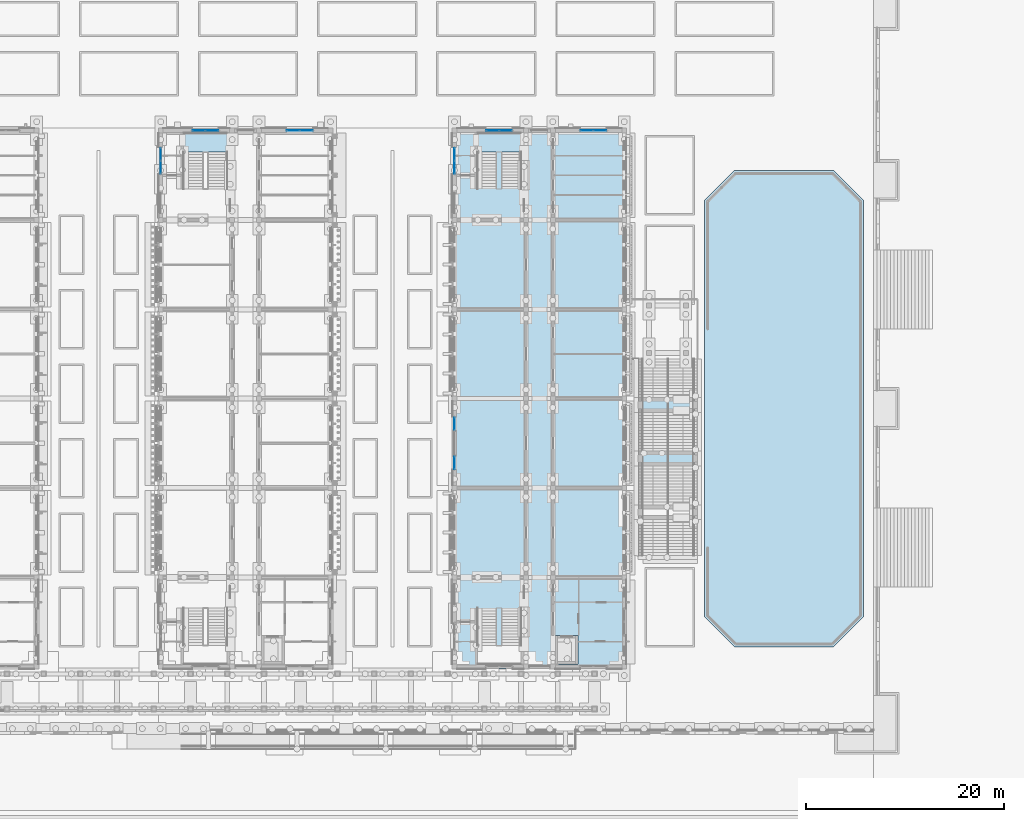
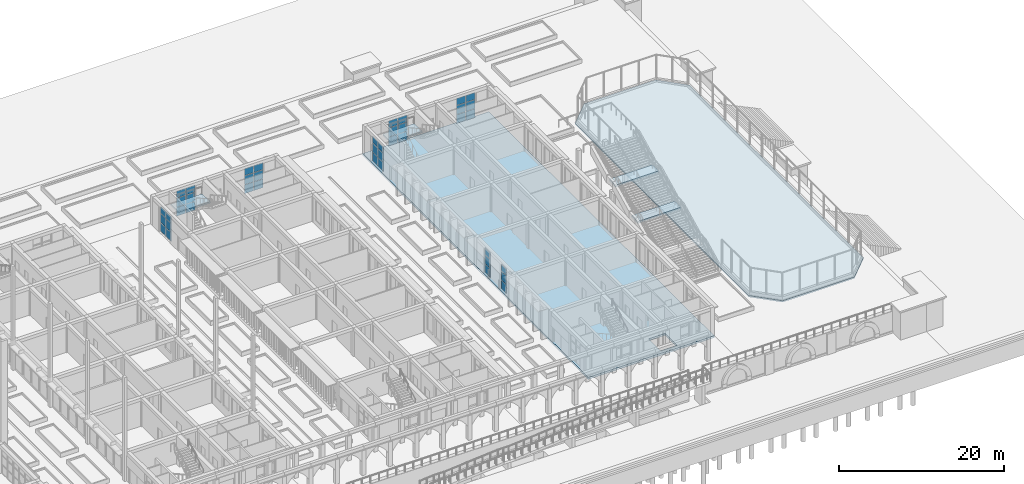
# One storey, part 52 of 161: 42 plates, 6 slabs, 11 elements without a shape of their own.
"""IFC4 building model written with IfcOpenShell, lengths in metres."""

from ifc_helpers import new_model, si_unit, direction, frame, origin, origin_2d, place, context, subcontext, project, spatial, polyline, rectangle, outline, extrude, material, layer, layer_set, type_object, element, aggregate, save


model = new_model("IFC4")

# Units and contexts
model_context = context("Model", 3, precision=1e-05, world=origin(), true_north=direction((0.0, 1.0)))
body_context = subcontext(model_context, "Body", "Model", "MODEL_VIEW")
ifc_project = project(units=[si_unit("LENGTHUNIT", "METRE"), si_unit("AREAUNIT", "SQUARE_METRE"), si_unit("VOLUMEUNIT", "CUBIC_METRE"), si_unit("PLANEANGLEUNIT", "RADIAN"), si_unit("MASSUNIT", "GRAM", prefix="KILO")], contexts=[model_context])

# Site, building, storey
site_placement = place(None, origin())
site = spatial("IfcSite", under=ifc_project, at=site_placement, CompositionType="ELEMENT")
building_placement = place(site_placement, origin())
building = spatial("IfcBuilding", under=site, at=building_placement, Name="Elbe Cascade School", CompositionType="ELEMENT")
storey_placement = place(building_placement, origin())
storey = spatial("IfcBuildingStorey", under=building, at=storey_placement, Name="L00", CompositionType="ELEMENT", Elevation=0.0)

# Stair, slab
ifc_material_1 = material(Name="Concrete C30/37", Category="concrete")
stair_type_1 = type_object("IfcStairType", Name="Bar stair RC 150", PredefinedType="HALF_TURN_STAIR", material=ifc_material_1)
stair_1_placement = place(storey_placement, origin())
stair_1 = element("IfcStair", 1, at=stair_1_placement, inside=storey, type_object=stair_type_1, Name="Stair C0.N", PredefinedType="HALF_TURN_STAIR")
ifc_material_2 = material(Name="Concrete C30/37", Category="concrete")
ifc_layer_1 = layer(ifc_material_2, 0.199951171875)
ifc_layer_set_1 = layer_set([ifc_layer_1], Name="Concrete C30/37")
slab_type_1 = type_object("IfcSlabType", Name="Bar stair landing RC 200", PredefinedType="LANDING", material=ifc_layer_set_1)
slab_1_placement = place(storey_placement, frame((0.0, 0.0, 2.050048828125)))
slab_1 = element("IfcSlab", 2, at=slab_1_placement, type_object=slab_type_1, Name="ST3 landing 1", PredefinedType="LANDING", context=body_context, shape_type="SweptSolid", body=[
    extrude(outline(polyline([(130.5, 57.8701171875), (134.89990234375, 57.8701171875), (134.89990234375, 59.820068359375), (130.5, 59.820068359375), (130.5, 57.8701171875)])), origin(), (0.0, 0.0, 1.0), 0.199951171875),
])
aggregate(stair_1, [slab_1])

stair_2_placement = place(storey_placement, origin())
stair_2 = element("IfcStair", 3, at=stair_2_placement, inside=storey, type_object=stair_type_1, Name="Stair D0.N", PredefinedType="HALF_TURN_STAIR")
slab_2_placement = place(storey_placement, frame((0.0, 0.0, 2.050048828125)))
slab_2 = element("IfcSlab", 4, at=slab_2_placement, type_object=slab_type_1, Name="ST3 landing 1", PredefinedType="LANDING", context=body_context, shape_type="SweptSolid", body=[
    extrude(outline(polyline([(160.10009765625, 57.8701171875), (164.5, 57.8701171875), (164.5, 59.820068359375), (160.10009765625, 59.820068359375), (160.10009765625, 57.8701171875)])), origin(), (0.0, 0.0, 1.0), 0.199951171875),
])
aggregate(stair_2, [slab_2])

# Curtain wall, plates
ifc_material_3 = material(Name="Aluminium frame with double glazing, bronze anodised", Category="aluminium")
ifc_layer_2 = layer(ifc_material_3, 0.199951171875)
ifc_layer_set_2 = layer_set([ifc_layer_2], Name="Aluminium frame with double glazing, bronze anodised")
curtain_wall_type = type_object("IfcCurtainWallType", Name="Bars envelope Curtain wall, aluminium, bronze anodised, ground floor tall run", PredefinedType="NOTDEFINED", material=ifc_layer_set_2)
curtain_wall_1_placement = place(storey_placement, origin())
curtain_wall_1 = element("IfcCurtainWall", 5, at=curtain_wall_1_placement, inside=storey, type_object=curtain_wall_type, Name="Curtain wall CW3 C.L00.w6", PredefinedType="NOTDEFINED")
ifc_material_4 = material(Name="Glass - double glazed low-E", Category="glass")
ifc_layer_3 = layer(ifc_material_4, 0.035888671875)
ifc_layer_set_3 = layer_set([ifc_layer_3], Name="Glass - double glazed low-E")
plate_type = type_object("IfcPlateType", Name="Bars envelope Curtain wall glazing panel 36 mm, double glazed, ground floor tall run", PredefinedType="CURTAIN_PANEL", material=ifc_layer_set_3)
plate_1_placement = place(storey_placement, frame((128.199951171875, 56.300048828125, 0.06005859375), z_axis=(0.0, 0.0, 1.0), x_axis=(0.0, 1.0, 0.0)))
plate_1 = element("IfcPlate", 6, at=plate_1_placement, type_object=plate_type, Name="CW3 panel 1.1", PredefinedType="CURTAIN_PANEL", context=body_context, shape_type="SweptSolid", body=[
    extrude(rectangle(XDim=1.260009765625, YDim=0.035888671875, at=origin_2d()), origin(), (0.0, 0.0, 1.0), 1.260009765625),
])
plate_2_placement = place(storey_placement, frame((128.199951171875, 56.300048828125, 1.3798828125), z_axis=(0.0, 0.0, 1.0), x_axis=(0.0, 1.0, 0.0)))
plate_2 = element("IfcPlate", 7, at=plate_2_placement, type_object=plate_type, Name="CW3 panel 1.2", PredefinedType="CURTAIN_PANEL", context=body_context, shape_type="SweptSolid", body=[
    extrude(rectangle(XDim=1.260009765625, YDim=0.035888671875, at=origin_2d()), origin(), (0.0, 0.0, 1.0), 1.2900390625),
])
plate_3_placement = place(storey_placement, frame((128.199951171875, 56.300048828125, 2.72998046875), z_axis=(0.0, 0.0, 1.0), x_axis=(0.0, 1.0, 0.0)))
plate_3 = element("IfcPlate", 8, at=plate_3_placement, type_object=plate_type, Name="CW3 panel 1.3", PredefinedType="CURTAIN_PANEL", context=body_context, shape_type="SweptSolid", body=[
    extrude(rectangle(XDim=1.260009765625, YDim=0.035888671875, at=origin_2d()), origin(), (0.0, 0.0, 1.0), 0.9599609375),
])
plate_4_placement = place(storey_placement, frame((128.199951171875, 57.6201171875, 0.06005859375), z_axis=(0.0, 0.0, 1.0), x_axis=(0.0, 1.0, 0.0)))
plate_4 = element("IfcPlate", 9, at=plate_4_placement, type_object=plate_type, Name="CW3 panel 2.1", PredefinedType="CURTAIN_PANEL", context=body_context, shape_type="SweptSolid", body=[
    extrude(rectangle(XDim=1.260009765625, YDim=0.035888671875, at=origin_2d()), origin(), (0.0, 0.0, 1.0), 1.260009765625),
])
plate_5_placement = place(storey_placement, frame((128.199951171875, 57.6201171875, 1.3798828125), z_axis=(0.0, 0.0, 1.0), x_axis=(0.0, 1.0, 0.0)))
plate_5 = element("IfcPlate", 10, at=plate_5_placement, type_object=plate_type, Name="CW3 panel 2.2", PredefinedType="CURTAIN_PANEL", context=body_context, shape_type="SweptSolid", body=[
    extrude(rectangle(XDim=1.260009765625, YDim=0.035888671875, at=origin_2d()), origin(), (0.0, 0.0, 1.0), 1.2900390625),
])
plate_6_placement = place(storey_placement, frame((128.199951171875, 57.6201171875, 2.72998046875), z_axis=(0.0, 0.0, 1.0), x_axis=(0.0, 1.0, 0.0)))
plate_6 = element("IfcPlate", 11, at=plate_6_placement, type_object=plate_type, Name="CW3 panel 2.3", PredefinedType="CURTAIN_PANEL", context=body_context, shape_type="SweptSolid", body=[
    extrude(rectangle(XDim=1.260009765625, YDim=0.035888671875, at=origin_2d()), origin(), (0.0, 0.0, 1.0), 0.9599609375),
])
aggregate(curtain_wall_1, [plate_1, plate_2, plate_3, plate_4, plate_5, plate_6])

curtain_wall_2_placement = place(storey_placement, origin())
curtain_wall_2 = element("IfcCurtainWall", 12, at=curtain_wall_2_placement, inside=storey, type_object=curtain_wall_type, Name="Curtain wall CW3 C.L00.n1", PredefinedType="NOTDEFINED")
plate_7_placement = place(storey_placement, frame((132.0400390625, 60.0, 0.06005859375), z_axis=(0.0, 0.0, 1.0), x_axis=(1.0, 0.0, 0.0)))
plate_7 = element("IfcPlate", 13, at=plate_7_placement, type_object=plate_type, Name="CW3 panel 1.1", PredefinedType="CURTAIN_PANEL", context=body_context, shape_type="SweptSolid", body=[
    extrude(rectangle(XDim=1.260009765625, YDim=0.035888671875, at=origin_2d()), origin(), (0.0, 0.0, 1.0), 1.260009765625),
])
plate_8_placement = place(storey_placement, frame((132.0400390625, 60.0, 1.3798828125), z_axis=(0.0, 0.0, 1.0), x_axis=(1.0, 0.0, 0.0)))
plate_8 = element("IfcPlate", 14, at=plate_8_placement, type_object=plate_type, Name="CW3 panel 1.2", PredefinedType="CURTAIN_PANEL", context=body_context, shape_type="SweptSolid", body=[
    extrude(rectangle(XDim=1.260009765625, YDim=0.035888671875, at=origin_2d()), origin(), (0.0, 0.0, 1.0), 1.2900390625),
])
plate_9_placement = place(storey_placement, frame((132.0400390625, 60.0, 2.72998046875), z_axis=(0.0, 0.0, 1.0), x_axis=(1.0, 0.0, 0.0)))
plate_9 = element("IfcPlate", 15, at=plate_9_placement, type_object=plate_type, Name="CW3 panel 1.3", PredefinedType="CURTAIN_PANEL", context=body_context, shape_type="SweptSolid", body=[
    extrude(rectangle(XDim=1.260009765625, YDim=0.035888671875, at=origin_2d()), origin(), (0.0, 0.0, 1.0), 1.010009765625),
])
plate_10_placement = place(storey_placement, frame((133.360107421875, 60.0, 0.06005859375), z_axis=(0.0, 0.0, 1.0), x_axis=(1.0, 0.0, 0.0)))
plate_10 = element("IfcPlate", 16, at=plate_10_placement, type_object=plate_type, Name="CW3 panel 2.1", PredefinedType="CURTAIN_PANEL", context=body_context, shape_type="SweptSolid", body=[
    extrude(rectangle(XDim=1.260009765625, YDim=0.035888671875, at=origin_2d()), origin(), (0.0, 0.0, 1.0), 1.260009765625),
])
plate_11_placement = place(storey_placement, frame((133.360107421875, 60.0, 1.3798828125), z_axis=(0.0, 0.0, 1.0), x_axis=(1.0, 0.0, 0.0)))
plate_11 = element("IfcPlate", 17, at=plate_11_placement, type_object=plate_type, Name="CW3 panel 2.2", PredefinedType="CURTAIN_PANEL", context=body_context, shape_type="SweptSolid", body=[
    extrude(rectangle(XDim=1.260009765625, YDim=0.035888671875, at=origin_2d()), origin(), (0.0, 0.0, 1.0), 1.2900390625),
])
plate_12_placement = place(storey_placement, frame((133.360107421875, 60.0, 2.72998046875), z_axis=(0.0, 0.0, 1.0), x_axis=(1.0, 0.0, 0.0)))
plate_12 = element("IfcPlate", 18, at=plate_12_placement, type_object=plate_type, Name="CW3 panel 2.3", PredefinedType="CURTAIN_PANEL", context=body_context, shape_type="SweptSolid", body=[
    extrude(rectangle(XDim=1.260009765625, YDim=0.035888671875, at=origin_2d()), origin(), (0.0, 0.0, 1.0), 1.010009765625),
])
aggregate(curtain_wall_2, [plate_7, plate_8, plate_9, plate_10, plate_11, plate_12])

curtain_wall_3_placement = place(storey_placement, origin())
curtain_wall_3 = element("IfcCurtainWall", 19, at=curtain_wall_3_placement, inside=storey, type_object=curtain_wall_type, Name="Curtain wall CW3 C.L00.n3", PredefinedType="NOTDEFINED")
plate_13_placement = place(storey_placement, frame((141.5400390625, 60.0, 0.06005859375), z_axis=(0.0, 0.0, 1.0), x_axis=(1.0, 0.0, 0.0)))
plate_13 = element("IfcPlate", 20, at=plate_13_placement, type_object=plate_type, Name="CW3 panel 1.1", PredefinedType="CURTAIN_PANEL", context=body_context, shape_type="SweptSolid", body=[
    extrude(rectangle(XDim=1.260009765625, YDim=0.035888671875, at=origin_2d()), origin(), (0.0, 0.0, 1.0), 1.260009765625),
])
plate_14_placement = place(storey_placement, frame((141.5400390625, 60.0, 1.3798828125), z_axis=(0.0, 0.0, 1.0), x_axis=(1.0, 0.0, 0.0)))
plate_14 = element("IfcPlate", 21, at=plate_14_placement, type_object=plate_type, Name="CW3 panel 1.2", PredefinedType="CURTAIN_PANEL", context=body_context, shape_type="SweptSolid", body=[
    extrude(rectangle(XDim=1.260009765625, YDim=0.035888671875, at=origin_2d()), origin(), (0.0, 0.0, 1.0), 1.2900390625),
])
plate_15_placement = place(storey_placement, frame((141.5400390625, 60.0, 2.72998046875), z_axis=(0.0, 0.0, 1.0), x_axis=(1.0, 0.0, 0.0)))
plate_15 = element("IfcPlate", 22, at=plate_15_placement, type_object=plate_type, Name="CW3 panel 1.3", PredefinedType="CURTAIN_PANEL", context=body_context, shape_type="SweptSolid", body=[
    extrude(rectangle(XDim=1.260009765625, YDim=0.035888671875, at=origin_2d()), origin(), (0.0, 0.0, 1.0), 1.010009765625),
])
plate_16_placement = place(storey_placement, frame((142.860107421875, 60.0, 0.06005859375), z_axis=(0.0, 0.0, 1.0), x_axis=(1.0, 0.0, 0.0)))
plate_16 = element("IfcPlate", 23, at=plate_16_placement, type_object=plate_type, Name="CW3 panel 2.1", PredefinedType="CURTAIN_PANEL", context=body_context, shape_type="SweptSolid", body=[
    extrude(rectangle(XDim=1.260009765625, YDim=0.035888671875, at=origin_2d()), origin(), (0.0, 0.0, 1.0), 1.260009765625),
])
plate_17_placement = place(storey_placement, frame((142.860107421875, 60.0, 1.3798828125), z_axis=(0.0, 0.0, 1.0), x_axis=(1.0, 0.0, 0.0)))
plate_17 = element("IfcPlate", 24, at=plate_17_placement, type_object=plate_type, Name="CW3 panel 2.2", PredefinedType="CURTAIN_PANEL", context=body_context, shape_type="SweptSolid", body=[
    extrude(rectangle(XDim=1.260009765625, YDim=0.035888671875, at=origin_2d()), origin(), (0.0, 0.0, 1.0), 1.2900390625),
])
plate_18_placement = place(storey_placement, frame((142.860107421875, 60.0, 2.72998046875), z_axis=(0.0, 0.0, 1.0), x_axis=(1.0, 0.0, 0.0)))
plate_18 = element("IfcPlate", 25, at=plate_18_placement, type_object=plate_type, Name="CW3 panel 2.3", PredefinedType="CURTAIN_PANEL", context=body_context, shape_type="SweptSolid", body=[
    extrude(rectangle(XDim=1.260009765625, YDim=0.035888671875, at=origin_2d()), origin(), (0.0, 0.0, 1.0), 1.010009765625),
])
aggregate(curtain_wall_3, [plate_13, plate_14, plate_15, plate_16, plate_17, plate_18])

curtain_wall_4_placement = place(storey_placement, origin())
curtain_wall_4 = element("IfcCurtainWall", 26, at=curtain_wall_4_placement, inside=storey, type_object=curtain_wall_type, Name="Curtain wall CW3 D.L00.w3l", PredefinedType="NOTDEFINED")
plate_19_placement = place(storey_placement, frame((157.800048828125, 26.52490234375, 0.06005859375), z_axis=(0.0, 0.0, 1.0), x_axis=(0.0, 1.0, 0.0)))
plate_19 = element("IfcPlate", 27, at=plate_19_placement, type_object=plate_type, Name="CW3 panel 1.1", PredefinedType="CURTAIN_PANEL", context=body_context, shape_type="SweptSolid", body=[
    extrude(rectangle(XDim=1.22998046875, YDim=0.035888671875, at=origin_2d()), origin(), (0.0, 0.0, 1.0), 1.260009765625),
])
plate_20_placement = place(storey_placement, frame((157.800048828125, 26.52490234375, 1.3798828125), z_axis=(0.0, 0.0, 1.0), x_axis=(0.0, 1.0, 0.0)))
plate_20 = element("IfcPlate", 28, at=plate_20_placement, type_object=plate_type, Name="CW3 panel 1.2", PredefinedType="CURTAIN_PANEL", context=body_context, shape_type="SweptSolid", body=[
    extrude(rectangle(XDim=1.22998046875, YDim=0.035888671875, at=origin_2d()), origin(), (0.0, 0.0, 1.0), 1.2900390625),
])
plate_21_placement = place(storey_placement, frame((157.800048828125, 26.52490234375, 2.72998046875), z_axis=(0.0, 0.0, 1.0), x_axis=(0.0, 1.0, 0.0)))
plate_21 = element("IfcPlate", 29, at=plate_21_placement, type_object=plate_type, Name="CW3 panel 1.3", PredefinedType="CURTAIN_PANEL", context=body_context, shape_type="SweptSolid", body=[
    extrude(rectangle(XDim=1.22998046875, YDim=0.035888671875, at=origin_2d()), origin(), (0.0, 0.0, 1.0), 0.9599609375),
])
aggregate(curtain_wall_4, [plate_19, plate_20, plate_21])

curtain_wall_5_placement = place(storey_placement, origin())
curtain_wall_5 = element("IfcCurtainWall", 30, at=curtain_wall_5_placement, inside=storey, type_object=curtain_wall_type, Name="Curtain wall CW3 D.L00.w3r", PredefinedType="NOTDEFINED")
plate_22_placement = place(storey_placement, frame((157.800048828125, 30.47509765625, 0.06005859375), z_axis=(0.0, 0.0, 1.0), x_axis=(0.0, 1.0, 0.0)))
plate_22 = element("IfcPlate", 31, at=plate_22_placement, type_object=plate_type, Name="CW3 panel 1.1", PredefinedType="CURTAIN_PANEL", context=body_context, shape_type="SweptSolid", body=[
    extrude(rectangle(XDim=1.22998046875, YDim=0.035888671875, at=origin_2d()), origin(), (0.0, 0.0, 1.0), 1.260009765625),
])
plate_23_placement = place(storey_placement, frame((157.800048828125, 30.47509765625, 1.3798828125), z_axis=(0.0, 0.0, 1.0), x_axis=(0.0, 1.0, 0.0)))
plate_23 = element("IfcPlate", 32, at=plate_23_placement, type_object=plate_type, Name="CW3 panel 1.2", PredefinedType="CURTAIN_PANEL", context=body_context, shape_type="SweptSolid", body=[
    extrude(rectangle(XDim=1.22998046875, YDim=0.035888671875, at=origin_2d()), origin(), (0.0, 0.0, 1.0), 1.2900390625),
])
plate_24_placement = place(storey_placement, frame((157.800048828125, 30.47509765625, 2.72998046875), z_axis=(0.0, 0.0, 1.0), x_axis=(0.0, 1.0, 0.0)))
plate_24 = element("IfcPlate", 33, at=plate_24_placement, type_object=plate_type, Name="CW3 panel 1.3", PredefinedType="CURTAIN_PANEL", context=body_context, shape_type="SweptSolid", body=[
    extrude(rectangle(XDim=1.22998046875, YDim=0.035888671875, at=origin_2d()), origin(), (0.0, 0.0, 1.0), 0.9599609375),
])
aggregate(curtain_wall_5, [plate_22, plate_23, plate_24])

curtain_wall_6_placement = place(storey_placement, origin())
curtain_wall_6 = element("IfcCurtainWall", 34, at=curtain_wall_6_placement, inside=storey, type_object=curtain_wall_type, Name="Curtain wall CW3 D.L00.w6", PredefinedType="NOTDEFINED")
plate_25_placement = place(storey_placement, frame((157.800048828125, 56.300048828125, 0.06005859375), z_axis=(0.0, 0.0, 1.0), x_axis=(0.0, 1.0, 0.0)))
plate_25 = element("IfcPlate", 35, at=plate_25_placement, type_object=plate_type, Name="CW3 panel 1.1", PredefinedType="CURTAIN_PANEL", context=body_context, shape_type="SweptSolid", body=[
    extrude(rectangle(XDim=1.260009765625, YDim=0.035888671875, at=origin_2d()), origin(), (0.0, 0.0, 1.0), 1.260009765625),
])
plate_26_placement = place(storey_placement, frame((157.800048828125, 56.300048828125, 1.3798828125), z_axis=(0.0, 0.0, 1.0), x_axis=(0.0, 1.0, 0.0)))
plate_26 = element("IfcPlate", 36, at=plate_26_placement, type_object=plate_type, Name="CW3 panel 1.2", PredefinedType="CURTAIN_PANEL", context=body_context, shape_type="SweptSolid", body=[
    extrude(rectangle(XDim=1.260009765625, YDim=0.035888671875, at=origin_2d()), origin(), (0.0, 0.0, 1.0), 1.2900390625),
])
plate_27_placement = place(storey_placement, frame((157.800048828125, 56.300048828125, 2.72998046875), z_axis=(0.0, 0.0, 1.0), x_axis=(0.0, 1.0, 0.0)))
plate_27 = element("IfcPlate", 37, at=plate_27_placement, type_object=plate_type, Name="CW3 panel 1.3", PredefinedType="CURTAIN_PANEL", context=body_context, shape_type="SweptSolid", body=[
    extrude(rectangle(XDim=1.260009765625, YDim=0.035888671875, at=origin_2d()), origin(), (0.0, 0.0, 1.0), 0.9599609375),
])
plate_28_placement = place(storey_placement, frame((157.800048828125, 57.6201171875, 0.06005859375), z_axis=(0.0, 0.0, 1.0), x_axis=(0.0, 1.0, 0.0)))
plate_28 = element("IfcPlate", 38, at=plate_28_placement, type_object=plate_type, Name="CW3 panel 2.1", PredefinedType="CURTAIN_PANEL", context=body_context, shape_type="SweptSolid", body=[
    extrude(rectangle(XDim=1.260009765625, YDim=0.035888671875, at=origin_2d()), origin(), (0.0, 0.0, 1.0), 1.260009765625),
])
plate_29_placement = place(storey_placement, frame((157.800048828125, 57.6201171875, 1.3798828125), z_axis=(0.0, 0.0, 1.0), x_axis=(0.0, 1.0, 0.0)))
plate_29 = element("IfcPlate", 39, at=plate_29_placement, type_object=plate_type, Name="CW3 panel 2.2", PredefinedType="CURTAIN_PANEL", context=body_context, shape_type="SweptSolid", body=[
    extrude(rectangle(XDim=1.260009765625, YDim=0.035888671875, at=origin_2d()), origin(), (0.0, 0.0, 1.0), 1.2900390625),
])
plate_30_placement = place(storey_placement, frame((157.800048828125, 57.6201171875, 2.72998046875), z_axis=(0.0, 0.0, 1.0), x_axis=(0.0, 1.0, 0.0)))
plate_30 = element("IfcPlate", 40, at=plate_30_placement, type_object=plate_type, Name="CW3 panel 2.3", PredefinedType="CURTAIN_PANEL", context=body_context, shape_type="SweptSolid", body=[
    extrude(rectangle(XDim=1.260009765625, YDim=0.035888671875, at=origin_2d()), origin(), (0.0, 0.0, 1.0), 0.9599609375),
])
aggregate(curtain_wall_6, [plate_25, plate_26, plate_27, plate_28, plate_29, plate_30])

curtain_wall_7_placement = place(storey_placement, origin())
curtain_wall_7 = element("IfcCurtainWall", 41, at=curtain_wall_7_placement, inside=storey, type_object=curtain_wall_type, Name="Curtain wall CW3 D.L00.n1", PredefinedType="NOTDEFINED")
plate_31_placement = place(storey_placement, frame((161.639892578125, 60.0, 0.06005859375), z_axis=(0.0, 0.0, 1.0), x_axis=(1.0, 0.0, 0.0)))
plate_31 = element("IfcPlate", 42, at=plate_31_placement, type_object=plate_type, Name="CW3 panel 1.1", PredefinedType="CURTAIN_PANEL", context=body_context, shape_type="SweptSolid", body=[
    extrude(rectangle(XDim=1.260009765625, YDim=0.035888671875, at=origin_2d()), origin(), (0.0, 0.0, 1.0), 1.260009765625),
])
plate_32_placement = place(storey_placement, frame((161.639892578125, 60.0, 1.3798828125), z_axis=(0.0, 0.0, 1.0), x_axis=(1.0, 0.0, 0.0)))
plate_32 = element("IfcPlate", 43, at=plate_32_placement, type_object=plate_type, Name="CW3 panel 1.2", PredefinedType="CURTAIN_PANEL", context=body_context, shape_type="SweptSolid", body=[
    extrude(rectangle(XDim=1.260009765625, YDim=0.035888671875, at=origin_2d()), origin(), (0.0, 0.0, 1.0), 1.2900390625),
])
plate_33_placement = place(storey_placement, frame((161.639892578125, 60.0, 2.72998046875), z_axis=(0.0, 0.0, 1.0), x_axis=(1.0, 0.0, 0.0)))
plate_33 = element("IfcPlate", 44, at=plate_33_placement, type_object=plate_type, Name="CW3 panel 1.3", PredefinedType="CURTAIN_PANEL", context=body_context, shape_type="SweptSolid", body=[
    extrude(rectangle(XDim=1.260009765625, YDim=0.035888671875, at=origin_2d()), origin(), (0.0, 0.0, 1.0), 1.010009765625),
])
plate_34_placement = place(storey_placement, frame((162.9599609375, 60.0, 0.06005859375), z_axis=(0.0, 0.0, 1.0), x_axis=(1.0, 0.0, 0.0)))
plate_34 = element("IfcPlate", 45, at=plate_34_placement, type_object=plate_type, Name="CW3 panel 2.1", PredefinedType="CURTAIN_PANEL", context=body_context, shape_type="SweptSolid", body=[
    extrude(rectangle(XDim=1.260009765625, YDim=0.035888671875, at=origin_2d()), origin(), (0.0, 0.0, 1.0), 1.260009765625),
])
plate_35_placement = place(storey_placement, frame((162.9599609375, 60.0, 1.3798828125), z_axis=(0.0, 0.0, 1.0), x_axis=(1.0, 0.0, 0.0)))
plate_35 = element("IfcPlate", 46, at=plate_35_placement, type_object=plate_type, Name="CW3 panel 2.2", PredefinedType="CURTAIN_PANEL", context=body_context, shape_type="SweptSolid", body=[
    extrude(rectangle(XDim=1.260009765625, YDim=0.035888671875, at=origin_2d()), origin(), (0.0, 0.0, 1.0), 1.2900390625),
])
plate_36_placement = place(storey_placement, frame((162.9599609375, 60.0, 2.72998046875), z_axis=(0.0, 0.0, 1.0), x_axis=(1.0, 0.0, 0.0)))
plate_36 = element("IfcPlate", 47, at=plate_36_placement, type_object=plate_type, Name="CW3 panel 2.3", PredefinedType="CURTAIN_PANEL", context=body_context, shape_type="SweptSolid", body=[
    extrude(rectangle(XDim=1.260009765625, YDim=0.035888671875, at=origin_2d()), origin(), (0.0, 0.0, 1.0), 1.010009765625),
])
aggregate(curtain_wall_7, [plate_31, plate_32, plate_33, plate_34, plate_35, plate_36])

curtain_wall_8_placement = place(storey_placement, origin())
curtain_wall_8 = element("IfcCurtainWall", 48, at=curtain_wall_8_placement, inside=storey, type_object=curtain_wall_type, Name="Curtain wall CW3 D.L00.n3", PredefinedType="NOTDEFINED")
plate_37_placement = place(storey_placement, frame((171.139892578125, 60.0, 0.06005859375), z_axis=(0.0, 0.0, 1.0), x_axis=(1.0, 0.0, 0.0)))
plate_37 = element("IfcPlate", 49, at=plate_37_placement, type_object=plate_type, Name="CW3 panel 1.1", PredefinedType="CURTAIN_PANEL", context=body_context, shape_type="SweptSolid", body=[
    extrude(rectangle(XDim=1.260009765625, YDim=0.035888671875, at=origin_2d()), origin(), (0.0, 0.0, 1.0), 1.260009765625),
])
plate_38_placement = place(storey_placement, frame((171.139892578125, 60.0, 1.3798828125), z_axis=(0.0, 0.0, 1.0), x_axis=(1.0, 0.0, 0.0)))
plate_38 = element("IfcPlate", 50, at=plate_38_placement, type_object=plate_type, Name="CW3 panel 1.2", PredefinedType="CURTAIN_PANEL", context=body_context, shape_type="SweptSolid", body=[
    extrude(rectangle(XDim=1.260009765625, YDim=0.035888671875, at=origin_2d()), origin(), (0.0, 0.0, 1.0), 1.2900390625),
])
plate_39_placement = place(storey_placement, frame((171.139892578125, 60.0, 2.72998046875), z_axis=(0.0, 0.0, 1.0), x_axis=(1.0, 0.0, 0.0)))
plate_39 = element("IfcPlate", 51, at=plate_39_placement, type_object=plate_type, Name="CW3 panel 1.3", PredefinedType="CURTAIN_PANEL", context=body_context, shape_type="SweptSolid", body=[
    extrude(rectangle(XDim=1.260009765625, YDim=0.035888671875, at=origin_2d()), origin(), (0.0, 0.0, 1.0), 1.010009765625),
])
plate_40_placement = place(storey_placement, frame((172.4599609375, 60.0, 0.06005859375), z_axis=(0.0, 0.0, 1.0), x_axis=(1.0, 0.0, 0.0)))
plate_40 = element("IfcPlate", 52, at=plate_40_placement, type_object=plate_type, Name="CW3 panel 2.1", PredefinedType="CURTAIN_PANEL", context=body_context, shape_type="SweptSolid", body=[
    extrude(rectangle(XDim=1.260009765625, YDim=0.035888671875, at=origin_2d()), origin(), (0.0, 0.0, 1.0), 1.260009765625),
])
plate_41_placement = place(storey_placement, frame((172.4599609375, 60.0, 1.3798828125), z_axis=(0.0, 0.0, 1.0), x_axis=(1.0, 0.0, 0.0)))
plate_41 = element("IfcPlate", 53, at=plate_41_placement, type_object=plate_type, Name="CW3 panel 2.2", PredefinedType="CURTAIN_PANEL", context=body_context, shape_type="SweptSolid", body=[
    extrude(rectangle(XDim=1.260009765625, YDim=0.035888671875, at=origin_2d()), origin(), (0.0, 0.0, 1.0), 1.2900390625),
])
plate_42_placement = place(storey_placement, frame((172.4599609375, 60.0, 2.72998046875), z_axis=(0.0, 0.0, 1.0), x_axis=(1.0, 0.0, 0.0)))
plate_42 = element("IfcPlate", 54, at=plate_42_placement, type_object=plate_type, Name="CW3 panel 2.3", PredefinedType="CURTAIN_PANEL", context=body_context, shape_type="SweptSolid", body=[
    extrude(rectangle(XDim=1.260009765625, YDim=0.035888671875, at=origin_2d()), origin(), (0.0, 0.0, 1.0), 1.010009765625),
])
aggregate(curtain_wall_8, [plate_37, plate_38, plate_39, plate_40, plate_41, plate_42])

# Stair, slabs
ifc_material_5 = material(Name="Concrete C30/37", Category="concrete")
stair_type_2 = type_object("IfcStairType", Name="Cascade steps", PredefinedType="STRAIGHT_RUN_STAIR", material=ifc_material_5)
stair_3_placement = place(storey_placement, origin())
stair_3 = element("IfcStair", 55, at=stair_3_placement, inside=storey, type_object=stair_type_2, Name="Cascade steps", PredefinedType="STRAIGHT_RUN_STAIR")
ifc_material_6 = material(Name="Concrete C30/37", Category="concrete")
ifc_layer_4 = layer(ifc_material_6, 0.300048828125)
ifc_layer_set_4 = layer_set([ifc_layer_4], Name="Concrete C30/37")
slab_type_2 = type_object("IfcSlabType", Name="Cascade steps landing 300", PredefinedType="LANDING", material=ifc_layer_set_4)
slab_3_placement = place(storey_placement, frame((0.0, 0.0, 3.7353515625)))
slab_3 = element("IfcSlab", 56, at=slab_3_placement, type_object=slab_type_2, Name="ST2 landing 2", PredefinedType="LANDING", context=body_context, shape_type="SweptSolid", body=[
    extrude(outline(polyline([(176.300048828125, 26.199951171875), (182.300048828125, 26.199951171875), (182.300048828125, 27.699951171875), (176.300048828125, 27.699951171875), (176.300048828125, 26.199951171875)])), origin(), (0.0, 0.0, 1.0), 0.2998046875),
])
slab_4_placement = place(storey_placement, frame((0.0, 0.0, 5.82763671875)))
slab_4 = element("IfcSlab", 57, at=slab_4_placement, type_object=slab_type_2, Name="ST2 landing 3", PredefinedType="LANDING", context=body_context, shape_type="SweptSolid", body=[
    extrude(outline(polyline([(176.300048828125, 31.60009765625), (182.300048828125, 31.60009765625), (182.300048828125, 33.10009765625), (176.300048828125, 33.10009765625), (176.300048828125, 31.60009765625)])), origin(), (0.0, 0.0, 1.0), 0.300048828125),
])
aggregate(stair_3, [slab_3, slab_4])

# Slabs
ifc_material_7 = material(Name="Concrete C35/45", Category="concrete")
ifc_layer_5 = layer(ifc_material_7, 0.300048828125)
ifc_layer_set_5 = layer_set([ifc_layer_5], Name="Concrete C35/45")
slab_type_3 = type_object("IfcSlabType", Name="Ground slab 300", PredefinedType="BASESLAB", material=ifc_layer_set_5)
slab_5_placement = place(storey_placement, frame((0.0, 0.0, -0.300048828125)))
element("IfcSlab", 58, at=slab_5_placement, inside=storey, type_object=slab_type_3, Name="Ground slab 300 S1", PredefinedType="BASESLAB", context=body_context, shape_type="SweptSolid", body=[
    extrude(outline(polyline([(157.550048828125, 5.75), (175.14990234375, 5.75), (175.14990234375, 60.25), (157.550048828125, 60.25), (157.550048828125, 5.75)]), holes=[polyline([(167.949951171875, 6.25), (170.25, 6.25), (170.25, 9.14990234375), (167.949951171875, 9.14990234375), (167.949951171875, 6.25)])]), origin(), (0.0, 0.0, 1.0), 0.300048828125),
])
ifc_material_8 = material(Name="Concrete C30/37", Category="concrete")
ifc_layer_6 = layer(ifc_material_8, 0.199951171875)
ifc_layer_set_6 = layer_set([ifc_layer_6], Name="Concrete C30/37")
slab_type_4 = type_object("IfcSlabType", Name="Sports ground base slab 200", PredefinedType="BASESLAB", material=ifc_layer_set_6)
slab_6_placement = place(storey_placement, frame((0.0, 0.0, -0.22998046875)))
element("IfcSlab", 59, at=slab_6_placement, inside=storey, type_object=slab_type_4, Name="Sports ground base slab", PredefinedType="BASESLAB", context=body_context, shape_type="SweptSolid", body=[
    extrude(outline(polyline([(186.0, 8.0), (196.0, 8.0), (199.0, 11.0), (199.0, 53.0), (196.0, 56.0), (186.0, 56.0), (183.0, 53.0), (183.0, 11.0), (186.0, 8.0)])), origin(), (0.0, 0.0, 1.0), 0.199951171875),
])

save(model, "model.ifc")
